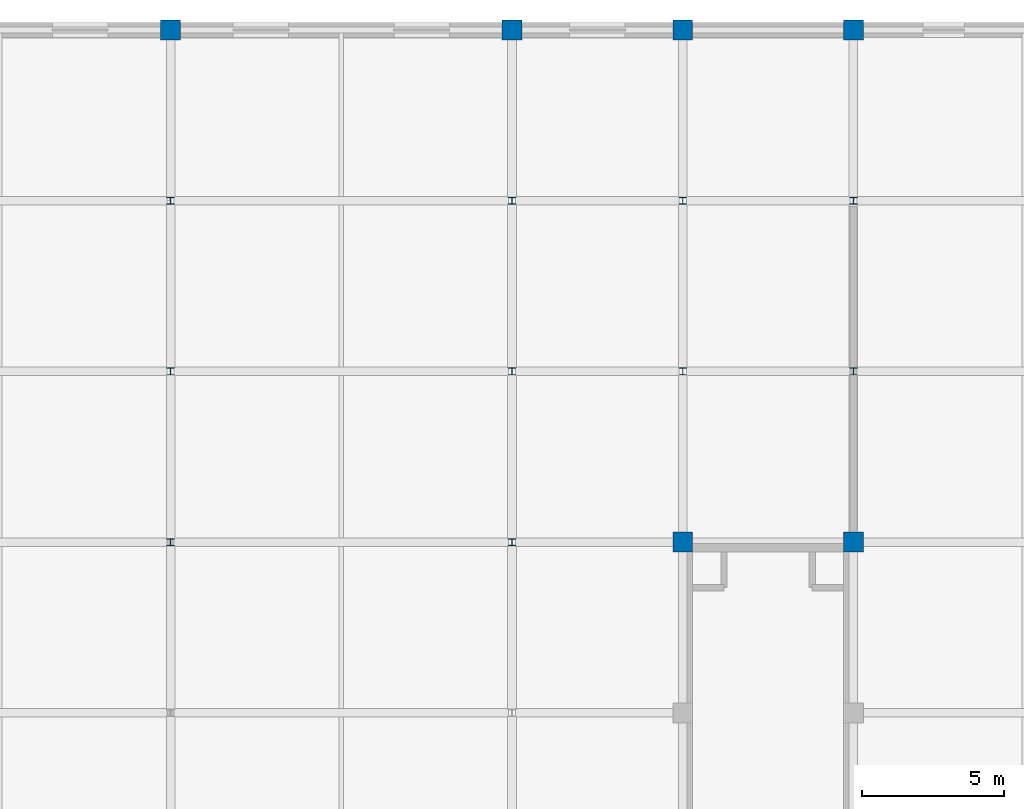
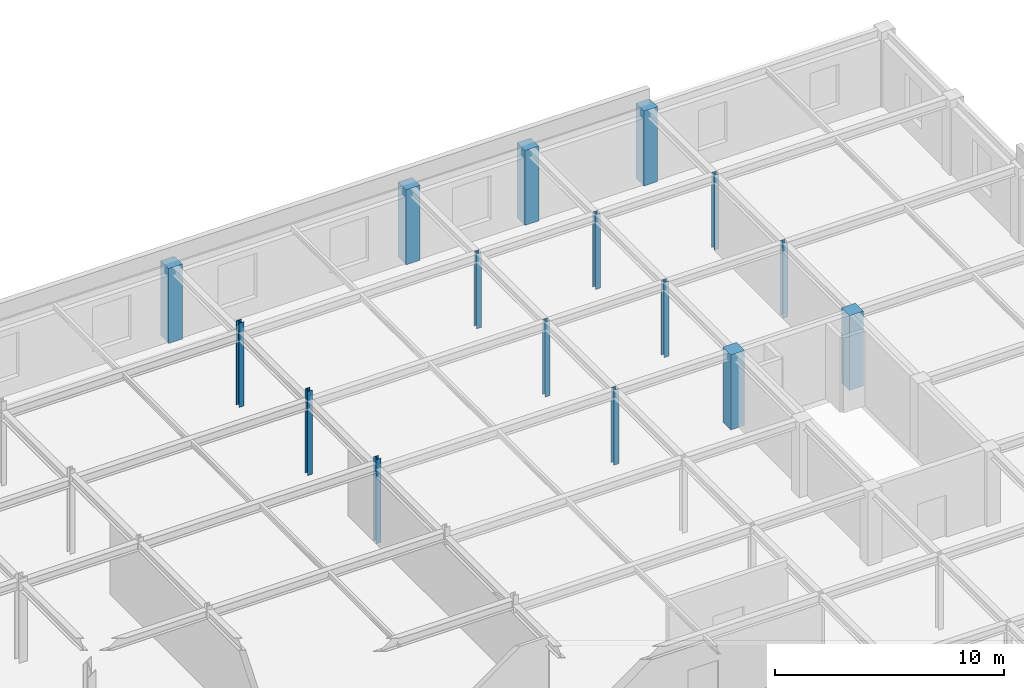
# One storey, part 27 of 111: 16 columns.
"""IFC4 building model written with IfcOpenShell, lengths in metres."""

from ifc_helpers import new_model, si_unit, direction, frame, origin, origin_2d, place, context, subcontext, project, spatial, rectangle, i_section, extrude, material, material_profile, profile_set, type_object, element, save


model = new_model("IFC4")

# Units and contexts
model_context = context("Model", 3, precision=1e-05, world=origin(), true_north=direction((0.0, 1.0)))
body_context = subcontext(model_context, "Body", "Model", "MODEL_VIEW")
ifc_project = project(units=[si_unit("LENGTHUNIT", "METRE"), si_unit("AREAUNIT", "SQUARE_METRE"), si_unit("VOLUMEUNIT", "CUBIC_METRE"), si_unit("PLANEANGLEUNIT", "RADIAN"), si_unit("MASSUNIT", "GRAM", prefix="KILO")], contexts=[model_context])

# Site, building, storey
site_placement = place(None, origin())
site = spatial("IfcSite", under=ifc_project, at=site_placement, CompositionType="ELEMENT")
building_placement = place(site_placement, origin())
building = spatial("IfcBuilding", under=site, at=building_placement, Name="Zlatovratsky Civic Hall", CompositionType="ELEMENT")
storey_placement = place(building_placement, frame((0.0, 0.0, 16.5)))
storey = spatial("IfcBuildingStorey", under=building, at=storey_placement, Name="L04", CompositionType="ELEMENT", Elevation=16.5)

# Columns
ifc_material_1 = material(Name="Concrete C35/45 (B40)", Category="concrete")
ifc_material_profile_1 = material_profile(ifc_material_1, rectangle(XDim=0.699951171875, YDim=0.699951171875, at=origin_2d()), Name="RC 700x700")
ifc_profile_set_1 = profile_set([ifc_material_profile_1], Name="Concrete C35/45 (B40)")
column_type_1 = type_object("IfcColumnType", Name="Col_CorePier_RC700", PredefinedType="COLUMN", material=ifc_profile_set_1)
for number, where, z_axis, x_axis, name in (
    (1, (150.0, 96.0, 0.0), (0.0, 0.0, 1.0), (1.0, 0.0, 0.0), "CL-1841"),
    (2, (156.0, 96.0, 0.0), (0.0, 0.0, 1.0), (1.0, 0.0, 0.0), "CL-1842"),
    (3, (132.0, 114.0, 0.0), (0.0, 0.0, 1.0), (1.0, 0.0, 0.0), "CL-1908"),
    (4, (144.0, 114.0, 0.0), (0.0, 0.0, 1.0), (1.0, 0.0, 0.0), "CL-1909"),
    (5, (150.0, 114.0, 0.0), (0.0, 0.0, 1.0), (1.0, 0.0, 0.0), "CL-1910"),
    (6, (156.0, 114.0, 0.0), (0.0, 0.0, 1.0), (1.0, 0.0, 0.0), "CL-1911"),
):
    element("IfcColumn", number, at=place(storey_placement, frame(where, z_axis=z_axis, x_axis=x_axis)), inside=storey, type_object=column_type_1, Name=name, PredefinedType="COLUMN", context=body_context, shape_type="SweptSolid", body=[
        extrude(rectangle(XDim=0.699951171875, YDim=0.699951171875, at=origin_2d()), origin(), (0.0, 0.0, 1.0), 4.0),
    ])
ifc_material_2 = material(Name="Steel S355", Category="steel")
ifc_material_profile_2 = material_profile(ifc_material_2, i_section(OverallWidth=0.25, OverallDepth=0.25, WebThickness=0.009033203125, FlangeThickness=0.013916015625, FilletRadius=0.01611328125, at=origin_2d()), Name="25K2")
ifc_profile_set_2 = profile_set([ifc_material_profile_2], Name="Steel S355")
column_type_2 = type_object("IfcColumnType", Name="Col_Steel_25K2", PredefinedType="COLUMN", material=ifc_profile_set_2)
column_1_placement = place(storey_placement, frame((132.0, 96.0, 0.0), z_axis=(0.0, 0.0, 1.0), x_axis=(1.0, 0.0, 0.0)))
element("IfcColumn", 7, at=column_1_placement, inside=storey, type_object=column_type_2, Name="CL-1839", PredefinedType="COLUMN", context=body_context, shape_type="SweptSolid", body=[
    extrude(i_section(OverallWidth=0.25, OverallDepth=0.25, WebThickness=0.009033203125, FlangeThickness=0.013916015625, FilletRadius=0.01611328125, at=origin_2d()), origin(), (0.0, 0.0, 1.0), 4.5),
])
column_2_placement = place(storey_placement, frame((144.0, 96.0, 0.0), z_axis=(0.0, 0.0, 1.0), x_axis=(1.0, 0.0, 0.0)))
element("IfcColumn", 8, at=column_2_placement, inside=storey, type_object=column_type_2, Name="CL-1840", PredefinedType="COLUMN", context=body_context, shape_type="SweptSolid", body=[
    extrude(i_section(OverallWidth=0.25, OverallDepth=0.25, WebThickness=0.009033203125, FlangeThickness=0.013916015625, FilletRadius=0.01611328125, at=origin_2d()), origin(), (0.0, 0.0, 1.0), 4.0),
])
column_3_placement = place(storey_placement, frame((132.0, 102.0, 0.0), z_axis=(0.0, 0.0, 1.0), x_axis=(1.0, 0.0, 0.0)))
element("IfcColumn", 9, at=column_3_placement, inside=storey, type_object=column_type_2, Name="CL-1862", PredefinedType="COLUMN", context=body_context, shape_type="SweptSolid", body=[
    extrude(i_section(OverallWidth=0.25, OverallDepth=0.25, WebThickness=0.009033203125, FlangeThickness=0.013916015625, FilletRadius=0.01611328125, at=origin_2d()), origin(), (0.0, 0.0, 1.0), 4.5),
])
for number, where, z_axis, x_axis, name in (
    (10, (144.0, 102.0, 0.0), (0.0, 0.0, 1.0), (1.0, 0.0, 0.0), "CL-1863"),
    (11, (150.0, 102.0, 0.0), (0.0, 0.0, 1.0), (1.0, 0.0, 0.0), "CL-1864"),
    (12, (156.0, 102.0, 0.0), (0.0, 0.0, 1.0), (1.0, 0.0, 0.0), "CL-1865"),
):
    element("IfcColumn", number, at=place(storey_placement, frame(where, z_axis=z_axis, x_axis=x_axis)), inside=storey, type_object=column_type_2, Name=name, PredefinedType="COLUMN", context=body_context, shape_type="SweptSolid", body=[
        extrude(i_section(OverallWidth=0.25, OverallDepth=0.25, WebThickness=0.009033203125, FlangeThickness=0.013916015625, FilletRadius=0.01611328125, at=origin_2d()), origin(), (0.0, 0.0, 1.0), 4.0),
    ])
column_4_placement = place(storey_placement, frame((132.0, 108.0, 0.0), z_axis=(0.0, 0.0, 1.0), x_axis=(1.0, 0.0, 0.0)))
element("IfcColumn", 13, at=column_4_placement, inside=storey, type_object=column_type_2, Name="CL-1885", PredefinedType="COLUMN", context=body_context, shape_type="SweptSolid", body=[
    extrude(i_section(OverallWidth=0.25, OverallDepth=0.25, WebThickness=0.009033203125, FlangeThickness=0.013916015625, FilletRadius=0.01611328125, at=origin_2d()), origin(), (0.0, 0.0, 1.0), 4.5),
])
for number, where, z_axis, x_axis, name in (
    (14, (144.0, 108.0, 0.0), (0.0, 0.0, 1.0), (1.0, 0.0, 0.0), "CL-1886"),
    (15, (150.0, 108.0, 0.0), (0.0, 0.0, 1.0), (1.0, 0.0, 0.0), "CL-1887"),
    (16, (156.0, 108.0, 0.0), (0.0, 0.0, 1.0), (1.0, 0.0, 0.0), "CL-1888"),
):
    element("IfcColumn", number, at=place(storey_placement, frame(where, z_axis=z_axis, x_axis=x_axis)), inside=storey, type_object=column_type_2, Name=name, PredefinedType="COLUMN", context=body_context, shape_type="SweptSolid", body=[
        extrude(i_section(OverallWidth=0.25, OverallDepth=0.25, WebThickness=0.009033203125, FlangeThickness=0.013916015625, FilletRadius=0.01611328125, at=origin_2d()), origin(), (0.0, 0.0, 1.0), 4.0),
    ])

save(model, "model.ifc")
